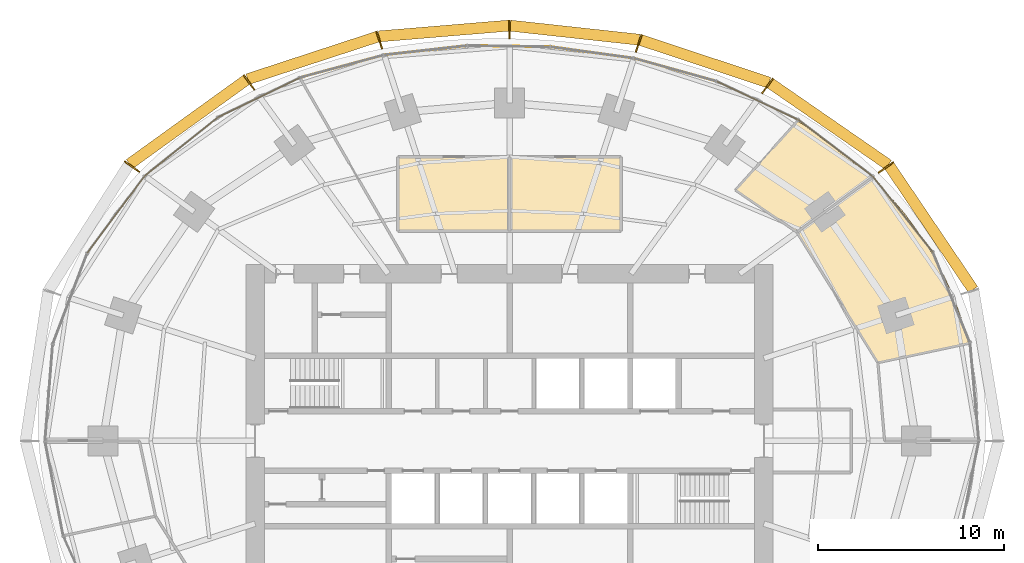
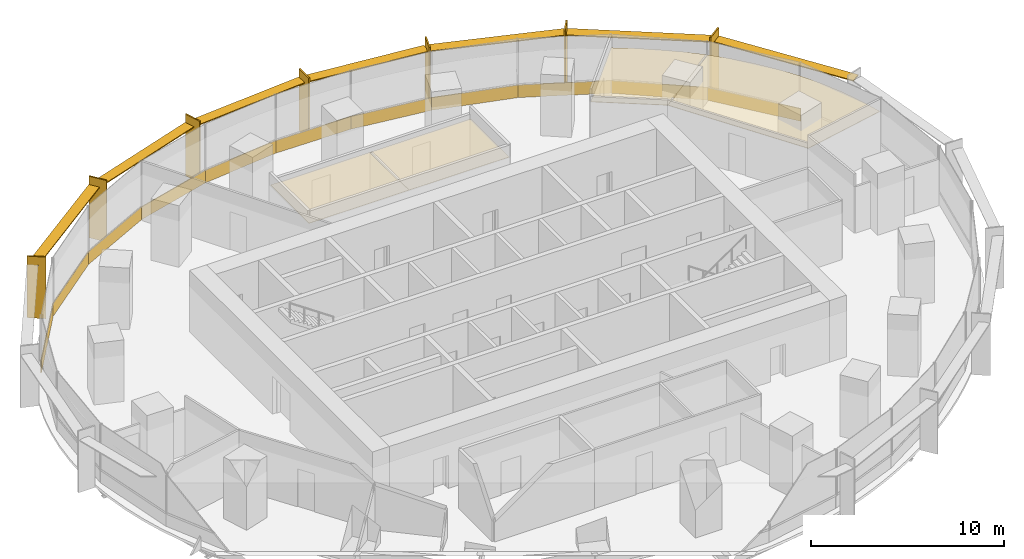
# One storey, part 14 of 14: 15 coverings, 14 shading devices.
"""IFC4 building model written with IfcOpenShell, lengths in metres."""

from ifc_helpers import new_model, si_unit, direction, frame, origin, origin_2d, place, context, subcontext, project, spatial, polyline, rectangle, outline, extrude, material, layer, layer_set, type_object, element, save


model = new_model("IFC4")

# Units and contexts
model_context = context("Model", 3, precision=1e-05, world=origin(), true_north=direction((0.0, 1.0)))
body_context = subcontext(model_context, "Body", "Model", "MODEL_VIEW")
ifc_project = project(units=[si_unit("LENGTHUNIT", "METRE"), si_unit("AREAUNIT", "SQUARE_METRE"), si_unit("VOLUMEUNIT", "CUBIC_METRE"), si_unit("PLANEANGLEUNIT", "RADIAN"), si_unit("MASSUNIT", "GRAM", prefix="KILO")], contexts=[model_context])

# Site, building, storey
site_placement = place(None, origin())
site = spatial("IfcSite", under=ifc_project, at=site_placement, CompositionType="ELEMENT")
building_placement = place(site_placement, origin())
building = spatial("IfcBuilding", under=site, at=building_placement, Name="Marramba Exchange Tower", CompositionType="ELEMENT")
storey_placement = place(building_placement, frame((0.0, 0.0, 96.300048828125)))
storey = spatial("IfcBuildingStorey", under=building, at=storey_placement, Name="L22", CompositionType="ELEMENT", Elevation=96.300048828125)

# Shading devices
ifc_material_1 = material(Name="Aluminium blade, timber-look bronze finish", Category="wood")
ifc_layer_1 = layer(ifc_material_1, 0.080078125)
ifc_layer_set_1 = layer_set([ifc_layer_1], Name="Floor-edge blade 1000x80")
shading_device_type_1 = type_object("IfcShadingDeviceType", Name="Floor-edge blade 1000x80", PredefinedType="USERDEFINED", material=ifc_layer_set_1)
for number, where, z_axis, x_axis, name in (
    (1, (20.27392578125, 14.72998046875, -0.159912109375), (0.0, 0.0, 1.0), (0.809016994375, 0.587785252292, 0.0), "Floor-edge blade FB1 L22 TC03"),
    (2, (13.8955078125, 19.12548828125, -0.159912109375), (0.0, 0.0, 1.0), (0.587785252292, 0.809016994375, 0.0), "Floor-edge blade FB1 L22 TC04"),
    (3, (6.958984375, 21.41748046875, -0.159912109375), (0.0, 0.0, 1.0), (0.309016994375, 0.951056516295, 0.0), "Floor-edge blade FB1 L22 TC05"),
    (4, (0.0, 22.173095703125, -0.159912109375), (0.0, 0.0, 1.0), (0.0, 1.0, 0.0), "Floor-edge blade FB1 L22 TC06"),
    (5, (-7.016845703125, 21.595703125, -0.159912109375), (0.0, 0.0, 1.0), (-0.309016994375, 0.951056516295, 0.0), "Floor-edge blade FB1 L22 TC07"),
    (6, (-14.029296875, 19.3095703125, -0.159912109375), (0.0, 0.0, 1.0), (-0.587785252292, 0.809016994375, 0.0), "Floor-edge blade FB1 L22 TC08"),
    (7, (-20.33642578125, 14.775390625, -0.159912109375), (0.0, 0.0, 1.0), (-0.809016994375, 0.587785252292, 0.0), "Floor-edge blade FB1 L22 TC09"),
):
    element("IfcShadingDevice", number, at=place(storey_placement, frame(where, z_axis=z_axis, x_axis=x_axis)), inside=storey, type_object=shading_device_type_1, Name=name, ObjectType="FIN", PredefinedType="USERDEFINED", context=body_context, shape_type="SweptSolid", body=[
        extrude(rectangle(XDim=1.0, YDim=0.080078125, at=origin_2d()), origin(), (0.0, 0.0, 1.0), 3.89990234375),
    ])
ifc_material_2 = material(Name="Aluminium sunshade, bronze anodised", Category="aluminium")
ifc_layer_2 = layer(ifc_material_2, 0.06005859375)
ifc_layer_set_2 = layer_set([ifc_layer_2], Name="SUNSHADE blade 600x60")
shading_device_type_2 = type_object("IfcShadingDeviceType", Name="SUNSHADE blade 600x60", PredefinedType="USERDEFINED", material=ifc_layer_set_2)
shading_device_1_placement = place(storey_placement, frame((22.712158203125, 11.4833984375, 3.159912109375), z_axis=(0.0, 0.0, 1.0), x_axis=(-0.560441804861, 0.828193807852, 0.0)))
element("IfcShadingDevice", 8, at=shading_device_1_placement, inside=storey, type_object=shading_device_type_2, Name="Sunshade SS1 L22 bay 02", ObjectType="SUNSHADE", PredefinedType="USERDEFINED", context=body_context, shape_type="SweptSolid", body=[
    extrude(rectangle(XDim=8.0439453125, YDim=0.60009765625, at=origin_2d()), origin(), (0.0, 0.0, 1.0), 0.06005859375),
])
shading_device_2_placement = place(storey_placement, frame((17.224365234375, 17.0673828125, 3.159912109375), z_axis=(0.0, 0.0, 1.0), x_axis=(-0.822589509071, 0.568635647464, 0.0)))
element("IfcShadingDevice", 9, at=shading_device_2_placement, inside=storey, type_object=shading_device_type_2, Name="Sunshade SS1 L22 bay 03", ObjectType="SUNSHADE", PredefinedType="USERDEFINED", context=body_context, shape_type="SweptSolid", body=[
    extrude(rectangle(XDim=7.72802734375, YDim=0.60009765625, at=origin_2d()), origin(), (0.0, 0.0, 1.0), 0.06005859375),
])
shading_device_3_placement = place(storey_placement, frame((10.516845703125, 20.447509765625, 3.159912109375), z_axis=(0.0, 0.0, 1.0), x_axis=(-0.949101076178, 0.314971660944, 0.0)))
element("IfcShadingDevice", 10, at=shading_device_3_placement, inside=storey, type_object=shading_device_type_2, Name="Sunshade SS1 L22 bay 04", ObjectType="SUNSHADE", PredefinedType="USERDEFINED", context=body_context, shape_type="SweptSolid", body=[
    extrude(rectangle(XDim=7.287353515625, YDim=0.60009765625, at=origin_2d()), origin(), (0.0, 0.0, 1.0), 0.06005859375),
])
shading_device_4_placement = place(storey_placement, frame((3.510498046875, 21.990478515625, 3.159912109375), z_axis=(0.0, 0.0, 1.0), x_axis=(-0.994111392801, 0.108362995081, 0.0)))
element("IfcShadingDevice", 11, at=shading_device_4_placement, inside=storey, type_object=shading_device_type_2, Name="Sunshade SS1 L22 bay 05", ObjectType="SUNSHADE", PredefinedType="USERDEFINED", context=body_context, shape_type="SweptSolid", body=[
    extrude(rectangle(XDim=6.982421875, YDim=0.60009765625, at=origin_2d()), origin(), (0.0, 0.0, 1.0), 0.06005859375),
])
shading_device_5_placement = place(storey_placement, frame((-3.539306640625, 22.07958984375, 3.159912109375), z_axis=(0.0, 0.0, 1.0), x_axis=(-0.996577838412, -0.08265961521, 0.0)))
element("IfcShadingDevice", 12, at=shading_device_5_placement, inside=storey, type_object=shading_device_type_2, Name="Sunshade SS1 L22 bay 06", ObjectType="SUNSHADE", PredefinedType="USERDEFINED", context=body_context, shape_type="SweptSolid", body=[
    extrude(rectangle(XDim=7.02294921875, YDim=0.60009765625, at=origin_2d()), origin(), (0.0, 0.0, 1.0), 0.06005859375),
])
shading_device_6_placement = place(storey_placement, frame((-10.61279296875, 20.628662109375, 3.159912109375), z_axis=(0.0, 0.0, 1.0), x_axis=(-0.950345637432, -0.311196351865, 0.0)))
element("IfcShadingDevice", 13, at=shading_device_6_placement, inside=storey, type_object=shading_device_type_2, Name="Sunshade SS1 L22 bay 07", ObjectType="SUNSHADE", PredefinedType="USERDEFINED", context=body_context, shape_type="SweptSolid", body=[
    extrude(rectangle(XDim=7.357421875, YDim=0.60009765625, at=origin_2d()), origin(), (0.0, 0.0, 1.0), 0.06005859375),
])
shading_device_7_placement = place(storey_placement, frame((-17.322509765625, 17.18212890625, 3.159912109375), z_axis=(0.0, 0.0, 1.0), x_axis=(-0.811199164202, -0.584769968448, 0.0)))
element("IfcShadingDevice", 14, at=shading_device_7_placement, inside=storey, type_object=shading_device_type_2, Name="Sunshade SS1 L22 bay 08", ObjectType="SUNSHADE", PredefinedType="USERDEFINED", context=body_context, shape_type="SweptSolid", body=[
    extrude(rectangle(XDim=7.749755859375, YDim=0.60009765625, at=origin_2d()), origin(), (0.0, 0.0, 1.0), 0.06005859375),
])

# Coverings
ifc_material_3 = material(Name="Aluminium spandrel panel, bronze anodised, insulated", Category="aluminium")
ifc_layer_3 = layer(ifc_material_3, 0.050048828125)
ifc_layer_set_3 = layer_set([ifc_layer_3], Name="Spandrel panel 800")
covering_type_1 = type_object("IfcCoveringType", Name="Spandrel panel 800", PredefinedType="CLADDING", material=ifc_layer_set_3)
covering_1_placement = place(storey_placement, frame((21.20068359375, 12.194091796875, 0.0), z_axis=(0.0, 0.0, 1.0), x_axis=(-0.621311998758, 0.783563271344, 0.0)))
element("IfcCovering", 15, at=covering_1_placement, inside=storey, type_object=covering_type_1, Name="Spandrel panel SP1 L22 F03", PredefinedType="CLADDING", context=body_context, shape_type="SweptSolid", body=[
    extrude(rectangle(XDim=5.197021484375, YDim=0.050048828125, at=origin_2d()), origin(), (0.0, 0.0, 1.0), 0.800048828125),
])
covering_2_placement = place(storey_placement, frame((17.576171875, 15.759033203125, 0.0), z_axis=(0.0, 0.0, 1.0), x_axis=(-0.795971745176, 0.605333776426, 0.0)))
element("IfcCovering", 16, at=covering_2_placement, inside=storey, type_object=covering_type_1, Name="Spandrel panel SP1 L22 F04", PredefinedType="CLADDING", context=body_context, shape_type="SweptSolid", body=[
    extrude(rectangle(XDim=5.05078125, YDim=0.050048828125, at=origin_2d()), origin(), (0.0, 0.0, 1.0), 0.800048828125),
])
covering_3_placement = place(storey_placement, frame((13.371337890625, 18.322998046875, 0.0), z_axis=(0.0, 0.0, 1.0), x_axis=(-0.904403135206, 0.426678999987, 0.0)))
element("IfcCovering", 17, at=covering_3_placement, inside=storey, type_object=covering_type_1, Name="Spandrel panel SP1 L22 F05", PredefinedType="CLADDING", context=body_context, shape_type="SweptSolid", body=[
    extrude(rectangle(XDim=4.853271484375, YDim=0.050048828125, at=origin_2d()), origin(), (0.0, 0.0, 1.0), 0.800048828125),
])
covering_4_placement = place(storey_placement, frame((8.9365234375, 19.98388671875, 0.0), z_axis=(0.0, 0.0, 1.0), x_axis=(-0.963177847397, 0.268865085655, 0.0)))
element("IfcCovering", 18, at=covering_4_placement, inside=storey, type_object=covering_type_1, Name="Spandrel panel SP1 L22 F06", PredefinedType="CLADDING", context=body_context, shape_type="SweptSolid", body=[
    extrude(rectangle(XDim=4.651611328125, YDim=0.050048828125, at=origin_2d()), origin(), (0.0, 0.0, 1.0), 0.800048828125),
])
covering_5_placement = place(storey_placement, frame((4.46337890625, 20.915283203125, 0.0), z_axis=(0.0, 0.0, 1.0), x_axis=(-0.990738214019, 0.135785828725, 0.0)))
element("IfcCovering", 19, at=covering_5_placement, inside=storey, type_object=covering_type_1, Name="Spandrel panel SP1 L22 F07", PredefinedType="CLADDING", context=body_context, shape_type="SweptSolid", body=[
    extrude(rectangle(XDim=4.507568359375, YDim=0.050048828125, at=origin_2d()), origin(), (0.0, 0.0, 1.0), 0.800048828125),
])
covering_6_placement = place(storey_placement, frame((-0.003662109375, 21.25634765625, 0.0), z_axis=(0.0, 0.0, 1.0), x_axis=(-0.999875870008, 0.015755779107, 0.0)))
element("IfcCovering", 20, at=covering_6_placement, inside=storey, type_object=covering_type_1, Name="Spandrel panel SP1 L22 F08", PredefinedType="CLADDING", context=body_context, shape_type="SweptSolid", body=[
    extrude(rectangle(XDim=4.46875, YDim=0.050048828125, at=origin_2d()), origin(), (0.0, 0.0, 1.0), 0.800048828125),
])
covering_7_placement = place(storey_placement, frame((-4.49609375, 21.03955078125, 0.0), z_axis=(0.0, 0.0, 1.0), x_axis=(-0.993823395975, -0.110973229261, 0.0)))
element("IfcCovering", 21, at=covering_7_placement, inside=storey, type_object=covering_type_1, Name="Spandrel panel SP1 L22 F09", PredefinedType="CLADDING", context=body_context, shape_type="SweptSolid", body=[
    extrude(rectangle(XDim=4.54443359375, YDim=0.050048828125, at=origin_2d()), origin(), (0.0, 0.0, 1.0), 0.800048828125),
])
covering_8_placement = place(storey_placement, frame((-9.0244140625, 20.17529296875, 0.0), z_axis=(0.0, 0.0, 1.0), x_axis=(-0.965522049344, -0.26032128655, 0.0)))
element("IfcCovering", 22, at=covering_8_placement, inside=storey, type_object=covering_type_1, Name="Spandrel panel SP1 L22 F10", PredefinedType="CLADDING", context=body_context, shape_type="SweptSolid", body=[
    extrude(rectangle(XDim=4.70263671875, YDim=0.050048828125, at=origin_2d()), origin(), (0.0, 0.0, 1.0), 0.800048828125),
])
covering_9_placement = place(storey_placement, frame((-13.49609375, 18.498291015625, 0.0), z_axis=(0.0, 0.0, 1.0), x_axis=(-0.900223736484, -0.435427633794, 0.0)))
element("IfcCovering", 23, at=covering_9_placement, inside=storey, type_object=covering_type_1, Name="Spandrel panel SP1 L22 F11", PredefinedType="CLADDING", context=body_context, shape_type="SweptSolid", body=[
    extrude(rectangle(XDim=4.890625, YDim=0.050048828125, at=origin_2d()), origin(), (0.0, 0.0, 1.0), 0.800048828125),
])
covering_10_placement = place(storey_placement, frame((-17.673095703125, 15.854736328125, 0.0), z_axis=(0.0, 0.0, 1.0), x_axis=(-0.781178328369, -0.624307952285, 0.0)))
element("IfcCovering", 24, at=covering_10_placement, inside=storey, type_object=covering_type_1, Name="Spandrel panel SP1 L22 F12", PredefinedType="CLADDING", context=body_context, shape_type="SweptSolid", body=[
    extrude(rectangle(XDim=5.058349609375, YDim=0.050048828125, at=origin_2d()), origin(), (0.0, 0.0, 1.0), 0.800048828125),
])
covering_11_placement = place(storey_placement, frame((-21.19580078125, 12.20068359375, 0.0), z_axis=(0.0, 0.0, 1.0), x_axis=(-0.597703998161, -0.801716864349, 0.0)))
element("IfcCovering", 25, at=covering_11_placement, inside=storey, type_object=covering_type_1, Name="Spandrel panel SP1 L22 F13", PredefinedType="CLADDING", context=body_context, shape_type="SweptSolid", body=[
    extrude(rectangle(XDim=5.17626953125, YDim=0.050048828125, at=origin_2d()), origin(), (0.0, 0.0, 1.0), 0.800048828125),
])
ifc_material_4 = material(Name="Mineral fibre ceiling tiles", Category="gypsum")
ifc_layer_4 = layer(ifc_material_4, 0.02001953125)
ifc_layer_set_4 = layer_set([ifc_layer_4], Name="Suspended ceiling 20")
covering_type_2 = type_object("IfcCoveringType", Name="Suspended ceiling 20", PredefinedType="CEILING", material=ifc_layer_set_4)
covering_12_placement = place(storey_placement, frame((0.0, 0.0, 2.89990234375)))
element("IfcCovering", 26, at=covering_12_placement, inside=storey, type_object=covering_type_2, Name="Ceiling CL1 L22 Compliance Office 1", PredefinedType="CEILING", context=body_context, shape_type="SweptSolid", body=[
    extrude(outline(polyline([(16.563720703125, 16.563720703125), (17.5869140625, 15.835205078125), (18.5751953125, 15.041748046875), (19.521484375, 14.18310546875), (15.4765625, 11.244384765625), (12.166748046875, 13.512451171875), (15.512451171875, 17.228271484375), (16.563720703125, 16.563720703125)])), origin(), (0.0, 0.0, 1.0), 0.02001953125),
])
covering_13_placement = place(storey_placement, frame((0.0, 0.0, 2.89990234375)))
element("IfcCovering", 27, at=covering_13_placement, inside=storey, type_object=covering_type_2, Name="Ceiling CL1 L22 Compliance Office 3", PredefinedType="CEILING", context=body_context, shape_type="SweptSolid", body=[
    extrude(outline(polyline([(19.950927734375, 13.74169921875), (20.4189453125, 13.26025390625), (21.089599609375, 12.4736328125), (21.259765625, 12.2744140625), (22.03662109375, 11.228271484375), (22.7421875, 10.12548828125), (22.854736328125, 9.91845703125), (23.3701171875, 8.970947265625), (23.9140625, 7.77001953125), (24.368896484375, 6.529541015625), (24.510009765625, 6.03271484375), (24.73046875, 5.256591796875), (19.839599609375, 4.217041015625), (15.4765625, 11.244384765625), (19.521484375, 14.18310546875), (19.950927734375, 13.74169921875)])), origin(), (0.0, 0.0, 1.0), 0.02001953125),
])
covering_14_placement = place(storey_placement, frame((0.0, 0.0, 2.89990234375)))
element("IfcCovering", 28, at=covering_14_placement, inside=storey, type_object=covering_type_2, Name="Ceiling CL1 L22 Meeting Room 1", PredefinedType="CEILING", context=body_context, shape_type="SweptSolid", body=[
    extrude(outline(polyline([(0.0, 11.300048828125), (-6.0, 11.300048828125), (-6.0, 15.300048828125), (0.0, 15.300048828125), (0.0, 11.300048828125)])), origin(), (0.0, 0.0, 1.0), 0.02001953125),
])
covering_15_placement = place(storey_placement, frame((0.0, 0.0, 2.89990234375)))
element("IfcCovering", 29, at=covering_15_placement, inside=storey, type_object=covering_type_2, Name="Ceiling CL1 L22 Meeting Room 2", PredefinedType="CEILING", context=body_context, shape_type="SweptSolid", body=[
    extrude(outline(polyline([(6.0, 11.300048828125), (0.0, 11.300048828125), (0.0, 15.300048828125), (6.0, 15.300048828125), (6.0, 11.300048828125)])), origin(), (0.0, 0.0, 1.0), 0.02001953125),
])

save(model, "model.ifc")
